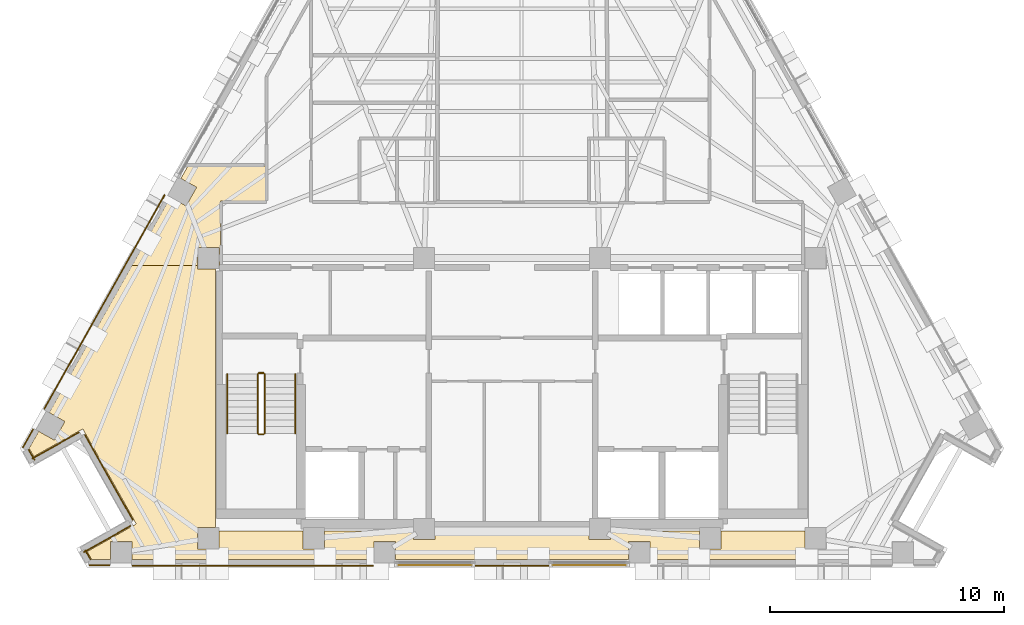
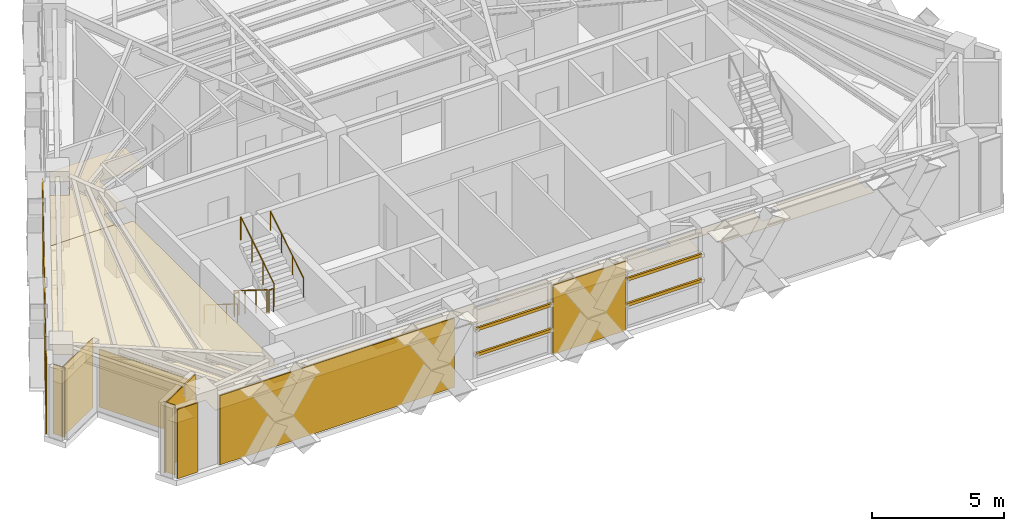
# One storey, part 11 of 13: 13 coverings, 6 railings, 4 shading devices.
"""IFC4 building model written with IfcOpenShell, lengths in metres."""

from ifc_helpers import new_model, si_unit, direction, frame, origin, origin_2d, place, context, subcontext, project, spatial, polyline, rectangle, circle, outline, extrude, material, layer, layer_set, material_profile, profile_set, type_object, element, save


model = new_model("IFC4")

# Units and contexts
model_context = context("Model", 3, precision=1e-05, world=origin(), true_north=direction((0.0, 1.0)))
body_context = subcontext(model_context, "Body", "Model", "MODEL_VIEW")
ifc_project = project(units=[si_unit("LENGTHUNIT", "METRE"), si_unit("AREAUNIT", "SQUARE_METRE"), si_unit("VOLUMEUNIT", "CUBIC_METRE"), si_unit("PLANEANGLEUNIT", "RADIAN"), si_unit("MASSUNIT", "GRAM", prefix="KILO")], contexts=[model_context])

# Site, building, storey
site_placement = place(None, origin())
site = spatial("IfcSite", under=ifc_project, at=site_placement, CompositionType="ELEMENT")
building_placement = place(site_placement, origin())
building = spatial("IfcBuilding", under=site, at=building_placement, Name="Quenlor Broadcast Tower", CompositionType="ELEMENT")
storey_placement = place(building_placement, frame((0.0, 0.0, 214.89990234375)))
storey = spatial("IfcBuildingStorey", under=building, at=storey_placement, Name="L59", CompositionType="ELEMENT", Elevation=214.89990234375)

# Coverings
ifc_material_1 = material(Name="Acoustic Mineral Fibre Board", Category="other")
ifc_layer_1 = layer(ifc_material_1, 0.02490234375)
ifc_layer_set_1 = layer_set([ifc_layer_1], Name="Acoustic Perforated Mineral Tile Ceiling 25")
covering_type_1 = type_object("IfcCoveringType", Name="Acoustic Perforated Mineral Tile Ceiling 25", PredefinedType="CEILING", material=ifc_layer_set_1)
covering_1_placement = place(storey_placement, frame((0.0, 0.0, 2.375)))
element("IfcCovering", 1, at=covering_1_placement, inside=storey, type_object=covering_type_1, Name="L59 Acoustic Ceiling L59-33", PredefinedType="CEILING", context=body_context, shape_type="SweptSolid", body=[
    extrude(outline(polyline([(-14.572021484375, -2.199462890625), (-13.90283203125, -2.575927734375), (-13.45361328125, -1.777587890625), (-14.123046875, -1.401123046875), (-13.825439453125, -0.872314453125), (-10.5, -0.872314453125), (-10.5, -2.3701171875), (-12.43994140625, -2.3701171875), (-12.43994140625, -5.1201171875), (-12.491943359375, -5.1201171875), (-12.491943359375, -4.342041015625), (-13.407958984375, -4.342041015625), (-13.407958984375, -5.1201171875), (-16.21484375, -5.1201171875), (-14.572021484375, -2.199462890625)])), origin(), (0.0, 0.0, 1.0), 0.025146484375),
])
covering_2_placement = place(storey_placement, frame((0.0, 0.0, 2.375)))
element("IfcCovering", 2, at=covering_2_placement, inside=storey, type_object=covering_type_1, Name="L59 Acoustic Ceiling L59-33-3", PredefinedType="CEILING", context=body_context, shape_type="SweptSolid", body=[
    extrude(outline(polyline([(-20.597900390625, -12.912109375), (-20.191162109375, -12.18896484375), (-19.52197265625, -12.5654296875), (-19.07275390625, -11.76708984375), (-19.7421875, -11.390625), (-16.21484375, -5.1201171875), (-13.407958984375, -5.1201171875), (-13.407958984375, -5.258056640625), (-12.64990234375, -5.258056640625), (-12.64990234375, -16.2919921875), (-13.407958984375, -16.2919921875), (-13.407958984375, -17.2080078125), (-12.64990234375, -17.2080078125), (-12.64990234375, -17.659912109375), (-16.218017578125, -17.659912109375), (-16.218017578125, -16.89208984375), (-17.1337890625, -16.89208984375), (-17.1337890625, -17.659912109375), (-17.927001953125, -17.659912109375), (-18.120849609375, -17.315673828125), (-16.029052734375, -16.138916015625), (-18.30859375, -12.08642578125), (-20.400390625, -13.26318359375), (-20.597900390625, -12.912109375)])), origin(), (0.0, 0.0, 1.0), 0.025146484375),
])
covering_3_placement = place(storey_placement, frame((0.0, 0.0, 2.375)))
element("IfcCovering", 3, at=covering_3_placement, inside=storey, type_object=covering_type_1, Name="L59 Acoustic Ceiling L59-33-5", PredefinedType="CEILING", context=body_context, shape_type="SweptSolid", body=[
    extrude(outline(polyline([(-12.491943359375, -17.2080078125), (-12.491943359375, -16.449951171875), (-8.907958984375, -16.449951171875), (-8.907958984375, -17.2080078125), (-7.991943359375, -17.2080078125), (-7.991943359375, -16.449951171875), (-4.2080078125, -16.449951171875), (-4.2080078125, -16.80810546875), (-3.2919921875, -16.80810546875), (-3.2919921875, -16.449951171875), (3.2919921875, -16.449951171875), (3.2919921875, -16.80810546875), (4.2080078125, -16.80810546875), (4.2080078125, -16.449951171875), (7.991943359375, -16.449951171875), (7.991943359375, -17.2080078125), (8.907958984375, -17.2080078125), (8.907958984375, -16.449951171875), (12.491943359375, -16.449951171875), (12.491943359375, -17.2080078125), (12.64990234375, -17.2080078125), (12.64990234375, -17.659912109375), (5.895751953125, -17.659912109375), (5.895751953125, -16.89208984375), (4.979736328125, -16.89208984375), (4.979736328125, -17.659912109375), (-4.979736328125, -17.659912109375), (-4.979736328125, -16.89208984375), (-5.895751953125, -16.89208984375), (-5.895751953125, -17.659912109375), (-12.64990234375, -17.659912109375), (-12.64990234375, -17.2080078125), (-12.491943359375, -17.2080078125)])), origin(), (0.0, 0.0, 1.0), 0.025146484375),
])

# Shading devices
ifc_material_2 = material(Name="Architectural Terracotta Ceramic", Category="masonry")
ifc_material_profile = material_profile(ifc_material_2, rectangle(XDim=0.090087890625, YDim=0.139892578125, at=origin_2d()))
ifc_profile_set = profile_set([ifc_material_profile], Name="Architectural Terracotta Ceramic BAG90x140")
shading_device_type = type_object("IfcShadingDeviceType", Name="Copper Terracotta Baguette Solar Screen 140", PredefinedType="USERDEFINED", material=ifc_profile_set)
for number, where, z_axis, x_axis, name in (
    (4, (4.933837890625, -17.89794921875, 1.170166015625), (-1.0, 0.0, 0.0), (0.0, -1.0, 0.0), "L59 Terracotta Baguette Screen 1"),
    (5, (4.933837890625, -17.89794921875, 2.340087890625), (-1.0, 0.0, 0.0), (0.0, -1.0, 0.0), "L59 Terracotta Baguette Screen 2"),
    (6, (-1.655029296875, -17.89794921875, 1.170166015625), (-1.0, 0.0, 0.0), (0.0, -1.0, 0.0), "L59 Terracotta Baguette Screen 1"),
    (7, (-1.655029296875, -17.89794921875, 2.340087890625), (-1.0, 0.0, 0.0), (0.0, -1.0, 0.0), "L59 Terracotta Baguette Screen 2"),
):
    element("IfcShadingDevice", number, at=place(storey_placement, frame(where, z_axis=z_axis, x_axis=x_axis)), inside=storey, type_object=shading_device_type, Name=name, ObjectType="BAGUETTE", PredefinedType="USERDEFINED", context=body_context, shape_type="SweptSolid", body=[
        extrude(rectangle(XDim=0.090087890625, YDim=0.139892578125, at=origin_2d()), origin(), (0.0, 0.0, 1.0), 3.27880859375),
    ])

# Coverings
ifc_material_3 = material(Name="Architectural Terracotta Ceramic", Category="masonry")
ifc_layer_2 = layer(ifc_material_3, 0.044921875)
ifc_layer_set_2 = layer_set([ifc_layer_2], Name="Fluted Terracotta Rainscreen Cladding Panel")
covering_type_2 = type_object("IfcCoveringType", Name="Fluted Terracotta Rainscreen Cladding Panel", PredefinedType="CLADDING", material=ifc_layer_set_2)
covering_4_placement = place(storey_placement, frame((0.0, 0.0, 0.02001953125)))
element("IfcCovering", 8, at=covering_4_placement, inside=storey, type_object=covering_type_2, Name="L59 Terracotta Rainscreen Cladding L59-SHD-SS1", PredefinedType="CLADDING", context=body_context, shape_type="SweptSolid", body=[
    extrude(outline(polyline([(-17.160888671875, -17.886962890625), (-18.035888671875, -17.886962890625), (-18.035888671875, -17.931884765625), (-17.160888671875, -17.931884765625), (-17.160888671875, -17.886962890625)])), origin(), (0.0, 0.0, 1.0), 3.2099609375),
])
covering_5_placement = place(storey_placement, frame((0.0, 0.0, 0.02001953125)))
element("IfcCovering", 9, at=covering_5_placement, inside=storey, type_object=covering_type_2, Name="L59 Terracotta Rainscreen Cladding L59-EW-SC", PredefinedType="CLADDING", context=body_context, shape_type="SweptSolid", body=[
    extrude(outline(polyline([(-5.9228515625, -17.89697265625), (-16.19091796875, -17.89697265625), (-16.19091796875, -17.94189453125), (-5.9228515625, -17.94189453125), (-5.9228515625, -17.89697265625)])), origin(), (0.0, 0.0, 1.0), 3.2099609375),
])
covering_6_placement = place(storey_placement, frame((0.0, 0.0, 0.02001953125)))
element("IfcCovering", 10, at=covering_6_placement, inside=storey, type_object=covering_type_2, Name="L59 Terracotta Rainscreen Cladding L59-S-SP1", PredefinedType="CLADDING", context=body_context, shape_type="SweptSolid", body=[
    extrude(outline(polyline([(1.591064453125, -17.89697265625), (-1.591064453125, -17.89697265625), (-1.591064453125, -17.94189453125), (1.591064453125, -17.94189453125), (1.591064453125, -17.89697265625)])), origin(), (0.0, 0.0, 1.0), 3.2099609375),
])
covering_7_placement = place(storey_placement, frame((0.0, 0.0, 0.02001953125)))
element("IfcCovering", 11, at=covering_7_placement, inside=storey, type_object=covering_type_2, Name="L59 Terracotta Rainscreen Cladding L59-SHD-NWS0", PredefinedType="CLADDING", context=body_context, shape_type="SweptSolid", body=[
    extrude(outline(polyline([(-20.845458984375, -12.888916015625), (-20.402099609375, -12.10107421875), (-20.44140625, -12.0791015625), (-20.884521484375, -12.866943359375), (-20.845458984375, -12.888916015625)])), origin(), (0.0, 0.0, 1.0), 3.2099609375),
])
covering_8_placement = place(storey_placement, frame((0.0, 0.0, 0.02001953125)))
element("IfcCovering", 12, at=covering_8_placement, inside=storey, type_object=covering_type_2, Name="L59 Terracotta Rainscreen Cladding L59-EW-NWA", PredefinedType="CLADDING", context=body_context, shape_type="SweptSolid", body=[
    extrude(outline(polyline([(-19.935302734375, -11.250732421875), (-14.7919921875, -2.106689453125), (-14.831298828125, -2.084716796875), (-19.974609375, -11.228759765625), (-19.935302734375, -11.250732421875)])), origin(), (0.0, 0.0, 1.0), 3.2099609375),
])
covering_9_placement = place(storey_placement, frame((0.0, 0.0, 0.02001953125)))
element("IfcCovering", 13, at=covering_9_placement, inside=storey, type_object=covering_type_2, Name="L59 Terracotta Rainscreen Cladding L59-CNR-12", PredefinedType="CLADDING", context=body_context, shape_type="SweptSolid", body=[
    extrude(outline(polyline([(-20.64306640625, -12.970458984375), (-20.38623046875, -13.427001953125), (-20.346923828125, -13.405029296875), (-20.60400390625, -12.948486328125), (-20.64306640625, -12.970458984375)])), origin(), (0.0, 0.0, 1.0), 3.2099609375),
])
covering_10_placement = place(storey_placement, frame((0.0, 0.0, 0.02001953125)))
element("IfcCovering", 14, at=covering_10_placement, inside=storey, type_object=covering_type_2, Name="L59 Terracotta Rainscreen Cladding L59-CNR-13", PredefinedType="CLADDING", context=body_context, shape_type="SweptSolid", body=[
    extrude(outline(polyline([(-20.462890625, -13.376220703125), (-18.45849609375, -12.248779296875), (-18.48046875, -12.20947265625), (-20.485107421875, -13.337158203125), (-20.462890625, -13.376220703125)])), origin(), (0.0, 0.0, 1.0), 3.2099609375),
])
covering_11_placement = place(storey_placement, frame((0.0, 0.0, 0.02001953125)))
element("IfcCovering", 15, at=covering_11_placement, inside=storey, type_object=covering_type_2, Name="L59 Terracotta Rainscreen Cladding L59-CNR-14", PredefinedType="CLADDING", context=body_context, shape_type="SweptSolid", body=[
    extrude(outline(polyline([(-18.245361328125, -12.337646484375), (-16.19140625, -15.9892578125), (-16.152099609375, -15.96728515625), (-18.206298828125, -12.315673828125), (-18.245361328125, -12.337646484375)])), origin(), (0.0, 0.0, 1.0), 2.681884765625),
])
covering_12_placement = place(storey_placement, frame((0.0, 0.0, 0.02001953125)))
element("IfcCovering", 16, at=covering_12_placement, inside=storey, type_object=covering_type_2, Name="L59 Terracotta Rainscreen Cladding L59-CNR-15", PredefinedType="CLADDING", context=body_context, shape_type="SweptSolid", body=[
    extrude(outline(polyline([(-16.2802734375, -16.2021484375), (-18.284912109375, -17.329833984375), (-18.262939453125, -17.368896484375), (-16.25830078125, -16.241455078125), (-16.2802734375, -16.2021484375)])), origin(), (0.0, 0.0, 1.0), 3.2099609375),
])
covering_13_placement = place(storey_placement, frame((0.0, 0.0, 0.02001953125)))
element("IfcCovering", 17, at=covering_13_placement, inside=storey, type_object=covering_type_2, Name="L59 Terracotta Rainscreen Cladding L59-CNR-16", PredefinedType="CLADDING", context=body_context, shape_type="SweptSolid", body=[
    extrude(outline(polyline([(-18.234130859375, -17.2529296875), (-17.99853515625, -17.671875), (-17.959228515625, -17.64990234375), (-18.19482421875, -17.23095703125), (-18.234130859375, -17.2529296875)])), origin(), (0.0, 0.0, 1.0), 3.2099609375),
])

# Railings
ifc_material_4 = material(Name="Anodised Aluminium", Category="aluminium")
railing_type_1 = type_object("IfcRailingType", Name="Stainless Aluminium Wall Handrail 900", PredefinedType="HANDRAIL", material=ifc_material_4)
railing_1_placement = place(storey_placement, frame((-12.14990234375, -9.75, 0.175048828125)))
element("IfcRailing", 18, at=railing_1_placement, inside=storey, type_object=railing_type_1, Name="L59 ST-1 stair handrail 1", PredefinedType="HANDRAIL", context=body_context, shape_type="SweptSolid", body=[
    extrude(circle(Radius=0.02392578125, at=origin_2d()), frame((0.0, 0.0, 0.8759765625), z_axis=(0.0, -0.848007534815, 0.529984170421), x_axis=(1.0, 0.0, 0.0)), (0.0, 0.0, 1.0), 2.9716796875),
    extrude(circle(Radius=0.02099609375, at=origin_2d()), origin(), (0.0, 0.0, 1.0), 0.851806640625),
    extrude(circle(Radius=0.02099609375, at=origin_2d()), frame((0.0, -0.840087890625, 0.52490234375)), (0.0, 0.0, 1.0), 0.851806640625),
    extrude(circle(Radius=0.02099609375, at=origin_2d()), frame((0.0, -1.679931640625, 1.050048828125)), (0.0, 0.0, 1.0), 0.851806640625),
    extrude(circle(Radius=0.02099609375, at=origin_2d()), frame((0.0, -2.52001953125, 1.574951171875)), (0.0, 0.0, 1.0), 0.851806640625),
])
railing_2_placement = place(storey_placement, frame((-9.25, -12.27001953125, 1.925048828125)))
element("IfcRailing", 19, at=railing_2_placement, inside=storey, type_object=railing_type_1, Name="L59 ST-1 stair handrail 2", PredefinedType="HANDRAIL", context=body_context, shape_type="SweptSolid", body=[
    extrude(circle(Radius=0.02392578125, at=origin_2d()), frame((0.0, 0.0, 0.8759765625), z_axis=(0.0, 0.848007534815, 0.529984170421), x_axis=(-1.0, 0.0, 0.0)), (0.0, 0.0, 1.0), 2.9716796875),
    extrude(circle(Radius=0.02099609375, at=origin_2d()), origin(), (0.0, 0.0, 1.0), 0.851806640625),
    extrude(circle(Radius=0.02099609375, at=origin_2d()), frame((0.0, 0.840087890625, 0.52490234375)), (0.0, 0.0, 1.0), 0.851806640625),
    extrude(circle(Radius=0.02099609375, at=origin_2d()), frame((0.0, 1.679931640625, 1.050048828125)), (0.0, 0.0, 1.0), 0.851806640625),
    extrude(circle(Radius=0.02099609375, at=origin_2d()), frame((0.0, 2.52001953125, 1.574951171875)), (0.0, 0.0, 1.0), 0.851806640625),
])
ifc_material_5 = material(Name="Steel S355", Category="steel")
railing_type_2 = type_object("IfcRailingType", Name="Tubular Steel S355 Stair Guardrail 1100", PredefinedType="BALUSTRADE", material=ifc_material_5)
railing_3_placement = place(storey_placement, frame((-10.85009765625, -9.75, 0.175048828125)))
element("IfcRailing", 20, at=railing_3_placement, inside=storey, type_object=railing_type_2, Name="L59 ST-1 stair guard 1", PredefinedType="BALUSTRADE", context=body_context, shape_type="SweptSolid", body=[
    extrude(circle(Radius=0.02392578125, at=origin_2d()), frame((0.0, 0.0, 1.076171875), z_axis=(0.0, -0.848007534815, 0.529984170421), x_axis=(1.0, 0.0, 0.0)), (0.0, 0.0, 1.0), 2.9716796875),
    extrude(circle(Radius=0.02099609375, at=origin_2d()), origin(), (0.0, 0.0, 1.0), 1.052001953125),
    extrude(circle(Radius=0.02099609375, at=origin_2d()), frame((0.0, -0.840087890625, 0.52490234375)), (0.0, 0.0, 1.0), 1.052001953125),
    extrude(circle(Radius=0.02099609375, at=origin_2d()), frame((0.0, -1.679931640625, 1.050048828125)), (0.0, 0.0, 1.0), 1.052001953125),
    extrude(circle(Radius=0.02099609375, at=origin_2d()), frame((0.0, -2.52001953125, 1.574951171875)), (0.0, 0.0, 1.0), 1.052001953125),
])
railing_4_placement = place(storey_placement, frame((-10.800048828125, -12.320068359375, 1.75)))
element("IfcRailing", 21, at=railing_4_placement, inside=storey, type_object=railing_type_2, Name="L59 ST-1 stair guard 2", PredefinedType="BALUSTRADE", context=body_context, shape_type="SweptSolid", body=[
    extrude(circle(Radius=0.02392578125, at=origin_2d()), frame((0.0, 0.0, 1.076171875), z_axis=(1.0, 0.0, 0.0), x_axis=(0.0, 1.0, 0.0)), (0.0, 0.0, 1.0), 0.199951171875),
    extrude(circle(Radius=0.02099609375, at=origin_2d()), origin(), (0.0, 0.0, 1.0), 1.052001953125),
    extrude(circle(Radius=0.02099609375, at=origin_2d()), frame((0.199951171875, 0.0, 0.0)), (0.0, 0.0, 1.0), 1.052001953125),
])
railing_5_placement = place(storey_placement, frame((-10.550048828125, -12.27001953125, 1.925048828125)))
element("IfcRailing", 22, at=railing_5_placement, inside=storey, type_object=railing_type_2, Name="L59 ST-1 stair guard 3", PredefinedType="BALUSTRADE", context=body_context, shape_type="SweptSolid", body=[
    extrude(circle(Radius=0.02392578125, at=origin_2d()), frame((0.0, 0.0, 1.076171875), z_axis=(0.0, 0.848007534815, 0.529984170421), x_axis=(-1.0, 0.0, 0.0)), (0.0, 0.0, 1.0), 2.9716796875),
    extrude(circle(Radius=0.02099609375, at=origin_2d()), origin(), (0.0, 0.0, 1.0), 1.052001953125),
    extrude(circle(Radius=0.02099609375, at=origin_2d()), frame((0.0, 0.840087890625, 0.52490234375)), (0.0, 0.0, 1.0), 1.052001953125),
    extrude(circle(Radius=0.02099609375, at=origin_2d()), frame((0.0, 1.679931640625, 1.050048828125)), (0.0, 0.0, 1.0), 1.052001953125),
    extrude(circle(Radius=0.02099609375, at=origin_2d()), frame((0.0, 2.52001953125, 1.574951171875)), (0.0, 0.0, 1.0), 1.052001953125),
])
railing_6_placement = place(storey_placement, frame((-10.800048828125, -9.699951171875, 0.0)))
element("IfcRailing", 23, at=railing_6_placement, inside=storey, type_object=railing_type_2, Name="L59 ST-1 stair guard 4", PredefinedType="BALUSTRADE", context=body_context, shape_type="SweptSolid", body=[
    extrude(circle(Radius=0.02392578125, at=origin_2d()), frame((0.0, 0.0, 1.076171875), z_axis=(1.0, 0.0, 0.0), x_axis=(0.0, 1.0, 0.0)), (0.0, 0.0, 1.0), 0.199951171875),
    extrude(circle(Radius=0.02099609375, at=origin_2d()), origin(), (0.0, 0.0, 1.0), 1.052001953125),
    extrude(circle(Radius=0.02099609375, at=origin_2d()), frame((0.199951171875, 0.0, 0.0)), (0.0, 0.0, 1.0), 1.052001953125),
])

save(model, "model.ifc")
